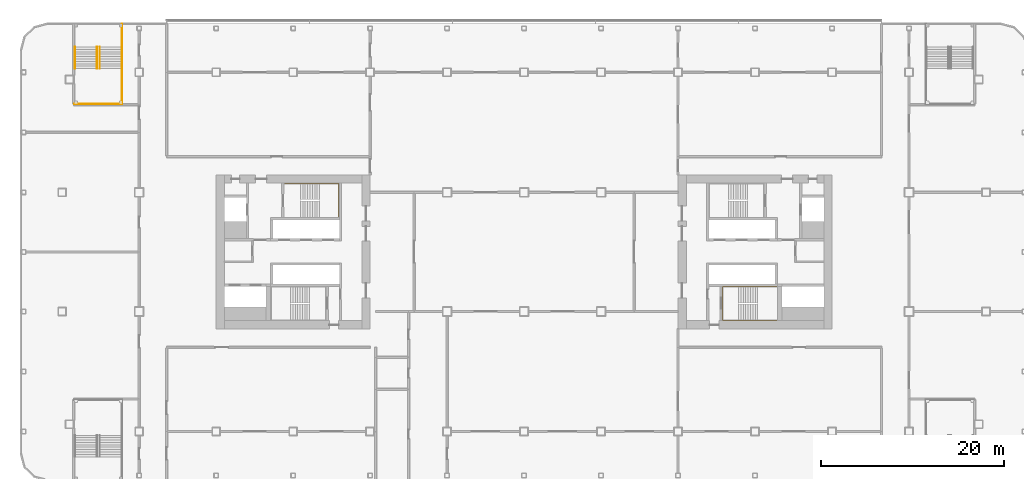
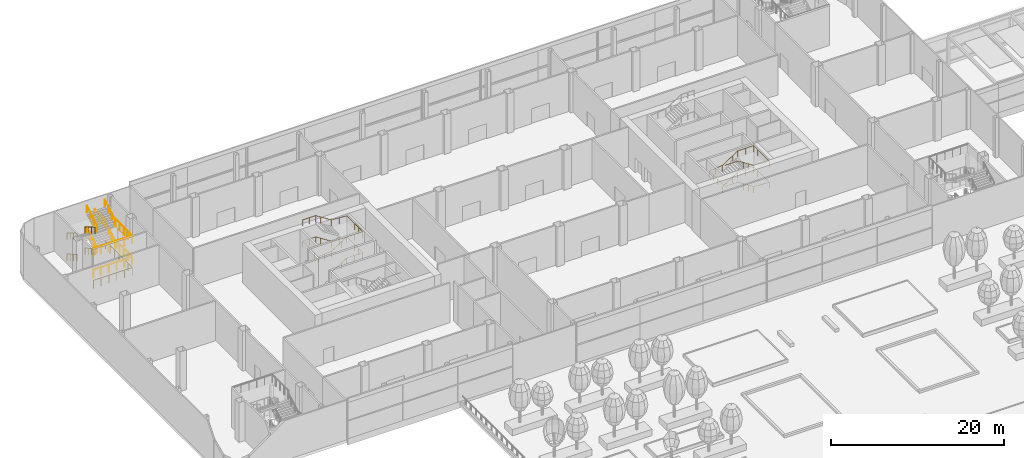
# One storey, part 88 of 100: 16 railings.
"""IFC4 building model written with IfcOpenShell, lengths in metres."""

import ifcopenshell
import ifcopenshell.guid

model = None  # the IFC model being written
_history = None  # IfcOwnerHistory: only IFC2X3 demands one
_inside = {}  # id of a spatial element -> (the spatial element, [elements in it])
_under = {}  # id of a project, library or spatial element -> (it, [spatial elements below it])
_declared = {}  # id of a project -> (the project, [libraries it declares])
_typed = {}  # id of a type object -> (the type object, [elements of that type])
_made_of = {}  # id of a material, layer set ... -> (it, [elements and type objects made of it])


def new_model(schema):
    """Start an empty IFC model of exactly this schema.

    Asked for "IFC4X3", IfcOpenShell would pick the latest addendum, in which some entities
    have other attributes; the version numbers below select the first issue.
    IFC2X3 requires an IfcOwnerHistory on every rooted entity: one is made here for all.
    """
    global model, _history
    if schema == "IFC4X3":
        model = ifcopenshell.file(schema_version=(4, 3, 0, 0))
    else:
        model = ifcopenshell.file(schema=schema)
    _inside.clear()
    _under.clear()
    _declared.clear()
    _typed.clear()
    _made_of.clear()
    _history = None
    if model.schema == "IFC2X3":
        org = make("IfcOrganization", Name="unknown")
        user = make(
            "IfcPersonAndOrganization",
            ThePerson=make("IfcPerson", FamilyName="unknown"),
            TheOrganization=org,
        )
        app = make(
            "IfcApplication",
            ApplicationDeveloper=org,
            Version="unknown",
            ApplicationFullName="unknown",
            ApplicationIdentifier="unknown",
        )
        _history = make(
            "IfcOwnerHistory",
            OwningUser=user,
            OwningApplication=app,
            ChangeAction="ADDED",
            CreationDate=0,
        )
    return model


def make(cls, **values):
    """One entity of the class cls with the attributes given. An attribute that is None is left unset."""
    return model.create_entity(
        cls, **{name: value for name, value in values.items() if value is not None}
    )


def rooted(cls, **values):
    """An entity with a GlobalId (a new one), such as an element, a storey or a relation."""
    return make(cls, GlobalId=ifcopenshell.guid.new(), OwnerHistory=_history, **values)


def si_unit(unit_type, name, prefix=None):
    """IfcSIUnit, for example si_unit("LENGTHUNIT", "METRE", prefix="MILLI")."""
    return make("IfcSIUnit", UnitType=unit_type, Prefix=prefix, Name=name)


def assignment(units):
    """IfcUnitAssignment: the units of a project."""
    return None if units is None else make("IfcUnitAssignment", Units=units)


def point(xyz):
    """IfcCartesianPoint."""
    return None if xyz is None else make("IfcCartesianPoint", Coordinates=xyz)


def direction(xyz):
    """IfcDirection."""
    return None if xyz is None else make("IfcDirection", DirectionRatios=xyz)


def frame(location, z_axis=None, x_axis=None):
    """IfcAxis2Placement3D, a coordinate frame: its origin and axes. An axis left out is left unset."""
    return make(
        "IfcAxis2Placement3D",
        Location=point(location),
        Axis=direction(z_axis),
        RefDirection=direction(x_axis),
    )


def frame_2d(location, x_axis=None):
    """IfcAxis2Placement2D, a coordinate frame in the plane: its origin and x axis."""
    return make(
        "IfcAxis2Placement2D", Location=point(location), RefDirection=direction(x_axis)
    )


def origin():
    """The frame at (0, 0, 0) with its axes left unset."""
    return frame((0.0, 0.0, 0.0))


def origin_2d():
    """The frame at (0, 0) in the plane with its x axis left unset."""
    return frame_2d((0.0, 0.0))


def place(relative_to, where):
    """IfcLocalPlacement: puts the frame where relative to a parent placement (None: the world)."""
    return make(
        "IfcLocalPlacement", PlacementRelTo=relative_to, RelativePlacement=where
    )


def context(
    kind, dimensions, precision=None, world=None, true_north=None, identifier=None
):
    """IfcGeometricRepresentationContext, for example the 3D "Model" context."""
    return make(
        "IfcGeometricRepresentationContext",
        ContextIdentifier=identifier,
        ContextType=kind,
        CoordinateSpaceDimension=dimensions,
        Precision=precision,
        WorldCoordinateSystem=world,
        TrueNorth=true_north,
    )


def subcontext(parent, identifier, kind, view, scale=None):
    """IfcGeometricRepresentationSubContext, for example "Body" below "Model"."""
    return make(
        "IfcGeometricRepresentationSubContext",
        ContextIdentifier=identifier,
        ContextType=kind,
        ParentContext=parent,
        TargetScale=scale,
        TargetView=view,
    )


def project(units=None, contexts=None):
    """IfcProject with its units and contexts."""
    return rooted(
        "IfcProject",
        Name="project",
        RepresentationContexts=contexts,
        UnitsInContext=assignment(units),
    )


def spatial(cls, under=None, at=None, **own):
    """A site, building, storey or space (cls), placed at a placement, below another one or the project."""
    s = rooted(cls, ObjectPlacement=at, **own)
    if under is not None:
        _under.setdefault(under.id(), (under, []))[1].append(s)
    return s


def profile(cls, at=None, kind="AREA", **sizes):
    """A parametric profile (cls). Its sizes go by their IFC names, for example OverallWidth=200.0."""
    return make(cls, ProfileType=kind, Position=at, **sizes)


def circle(**sizes):
    """IfcCircleProfileDef."""
    return profile("IfcCircleProfileDef", **sizes)


def extrude(swept, where, along, depth):
    """IfcExtrudedAreaSolid: the profile swept, set in the frame where, extruded along a direction by depth."""
    return make(
        "IfcExtrudedAreaSolid",
        SweptArea=swept,
        Position=where,
        ExtrudedDirection=direction(along),
        Depth=depth,
    )


def shape(context_of_items, identifier, shape_type, items):
    """IfcShapeRepresentation: the items that make up one representation, for example the "Body"."""
    return make(
        "IfcShapeRepresentation",
        ContextOfItems=context_of_items,
        RepresentationIdentifier=identifier,
        RepresentationType=shape_type,
        Items=items,
    )


def material(Name=None, Category=None):
    """IfcMaterial."""
    return make("IfcMaterial", Name=Name, Category=Category)


def made_of(thing, what):
    """Note that an element or type object is made of a material, layer set ...; save() writes the relation."""
    if what is not None:
        _made_of.setdefault(what.id(), (what, []))[1].append(thing)
    return thing


def type_object(cls, material=None, **own):
    """A type object (cls), such as IfcWallType, which elements share."""
    return made_of(rooted(cls, **own), material)


def element(
    cls,
    number,
    at=None,
    inside=None,
    cuts=None,
    type_object=None,
    material=None,
    context=None,
    identifier="Body",
    shape_type=None,
    held_by="IfcProductDefinitionShape",
    body=None,
    shapes=None,
    **own,
):
    """One element of the class cls, such as IfcWall. Its Tag is "e" and its number.

    at: its placement. inside: the storey or other place that contains it. cuts: it is an
    opening in that element (IfcRelVoidsElement). A single representation is given by context,
    identifier, shape_type and body (its items); several are given by shapes. held_by: the class
    of the entity that holds the representations. save() writes the other relations.
    """
    e = rooted(cls, Tag="e%d" % number, ObjectPlacement=at, **own)
    if body is not None:
        shapes = [shape(context, identifier, shape_type, body)]
    if shapes is not None:
        e.Representation = make(held_by, Representations=shapes)
    if inside is not None:
        _inside.setdefault(inside.id(), (inside, []))[1].append(e)
    if cuts is not None:
        rooted(
            "IfcRelVoidsElement", RelatingBuildingElement=cuts, RelatedOpeningElement=e
        )
    if type_object is not None:
        _typed.setdefault(type_object.id(), (type_object, []))[1].append(e)
    return made_of(e, material)


def aggregate(whole, parts):
    """IfcRelAggregates: a whole, such as a stair, and the parts it consists of."""
    return rooted("IfcRelAggregates", RelatingObject=whole, RelatedObjects=parts)


def save(model, path):
    """Write the relations noted so far, then the file.

    IfcRelAggregates (storeys below a building ...), IfcRelContainedInSpatialStructure (elements
    in a storey), IfcRelDefinesByType, IfcRelAssociatesMaterial and IfcRelDeclares: one each for
    every whole, place, type object, material and project.
    """
    for whole, parts in _under.values():
        aggregate(whole, parts)
    for where, things in _inside.values():
        rooted(
            "IfcRelContainedInSpatialStructure",
            RelatedElements=things,
            RelatingStructure=where,
        )
    for kind, things in _typed.values():
        rooted("IfcRelDefinesByType", RelatedObjects=things, RelatingType=kind)
    for what, things in _made_of.values():
        rooted("IfcRelAssociatesMaterial", RelatedObjects=things, RelatingMaterial=what)
    for by, libraries in _declared.values():
        rooted("IfcRelDeclares", RelatingContext=by, RelatedDefinitions=libraries)
    model.write(path)


model = new_model("IFC4")

# Units and contexts
model_context = context("Model", 3, precision=1e-05, world=origin(), true_north=direction((0.0, 1.0)))
body_context = subcontext(model_context, "Body", "Model", "MODEL_VIEW")
ifc_project = project(units=[si_unit("LENGTHUNIT", "METRE"), si_unit("AREAUNIT", "SQUARE_METRE"), si_unit("VOLUMEUNIT", "CUBIC_METRE"), si_unit("PLANEANGLEUNIT", "RADIAN"), si_unit("MASSUNIT", "GRAM", prefix="KILO")], contexts=[model_context])

# Site, building, storey
site_placement = place(None, origin())
site = spatial("IfcSite", under=ifc_project, at=site_placement, CompositionType="ELEMENT")
building_placement = place(site_placement, origin())
building = spatial("IfcBuilding", under=site, at=building_placement, Name="Hakoniwa Tower and Hamabe Station Hall", CompositionType="ELEMENT")
storey_placement = place(building_placement, frame((0.0, 0.0, 9.0)))
storey = spatial("IfcBuildingStorey", under=building, at=storey_placement, Name="L02", CompositionType="ELEMENT", Elevation=9.0)

# Railings
ifc_material_1 = material(Name="Stainless steel and glass", Category="steel")
railing_type_1 = type_object("IfcRailingType", Name="GUARD 1100", PredefinedType="GUARDRAIL", material=ifc_material_1)
railing_1_placement = place(storey_placement, frame((-43.85009765625, 20.010009765625, 1.5)))
element("IfcRailing", 1, at=railing_1_placement, inside=storey, type_object=railing_type_1, Name="Guard at landing PS1 1", PredefinedType="GUARDRAIL", context=body_context, shape_type="SweptSolid", body=[
    extrude(circle(Radius=0.02392578125, at=origin_2d()), frame((0.0, 0.0, 1.076171875), z_axis=(0.0, -1.0, 0.0), x_axis=(1.0, 0.0, 0.0)), (0.0, 0.0, 1.0), 3.860107421875),
    extrude(circle(Radius=0.02099609375, at=origin_2d()), origin(), (0.0, 0.0, 1.0), 1.052001953125),
    extrude(circle(Radius=0.02099609375, at=origin_2d()), frame((0.0, -0.965087890625, 0.0)), (0.0, 0.0, 1.0), 1.052001953125),
    extrude(circle(Radius=0.02099609375, at=origin_2d()), frame((0.0, -1.93017578125, 0.0)), (0.0, 0.0, 1.0), 1.052001953125),
    extrude(circle(Radius=0.02099609375, at=origin_2d()), frame((0.0, -2.89501953125, 0.0)), (0.0, 0.0, 1.0), 1.052001953125),
    extrude(circle(Radius=0.02099609375, at=origin_2d()), frame((0.0, -3.860107421875, 0.0)), (0.0, 0.0, 1.0), 1.052001953125),
])
railing_2_placement = place(storey_placement, frame((-49.050048828125, 16.14990234375, 1.5)))
element("IfcRailing", 2, at=railing_2_placement, inside=storey, type_object=railing_type_1, Name="Guard at landing PS1 2", PredefinedType="GUARDRAIL", context=body_context, shape_type="SweptSolid", body=[
    extrude(circle(Radius=0.02392578125, at=origin_2d()), frame((0.0, 0.0, 1.076171875), z_axis=(1.0, 0.0, 0.0), x_axis=(0.0, 1.0, 0.0)), (0.0, 0.0, 1.0), 5.199951171875),
    extrude(circle(Radius=0.02099609375, at=origin_2d()), origin(), (0.0, 0.0, 1.0), 1.052001953125),
    extrude(circle(Radius=0.02099609375, at=origin_2d()), frame((1.0400390625, 0.0, 0.0)), (0.0, 0.0, 1.0), 1.052001953125),
    extrude(circle(Radius=0.02099609375, at=origin_2d()), frame((2.080078125, 0.0, 0.0)), (0.0, 0.0, 1.0), 1.052001953125),
    extrude(circle(Radius=0.02099609375, at=origin_2d()), frame((3.119873046875, 0.0, 0.0)), (0.0, 0.0, 1.0), 1.052001953125),
    extrude(circle(Radius=0.02099609375, at=origin_2d()), frame((4.159912109375, 0.0, 0.0)), (0.0, 0.0, 1.0), 1.052001953125),
    extrude(circle(Radius=0.02099609375, at=origin_2d()), frame((5.199951171875, 0.0, 0.0)), (0.0, 0.0, 1.0), 1.052001953125),
])
railing_3_placement = place(storey_placement, frame((-43.85009765625, 24.85009765625, 3.0)))
element("IfcRailing", 3, at=railing_3_placement, inside=storey, type_object=railing_type_1, Name="Guard at landing PS1 3", PredefinedType="GUARDRAIL", context=body_context, shape_type="SweptSolid", body=[
    extrude(circle(Radius=0.02392578125, at=origin_2d()), frame((0.0, 0.0, 1.076171875), z_axis=(0.0, -1.0, 0.0), x_axis=(1.0, 0.0, 0.0)), (0.0, 0.0, 1.0), 2.5),
    extrude(circle(Radius=0.02099609375, at=origin_2d()), origin(), (0.0, 0.0, 1.0), 1.052001953125),
    extrude(circle(Radius=0.02099609375, at=origin_2d()), frame((0.0, -0.833251953125, 0.0)), (0.0, 0.0, 1.0), 1.052001953125),
    extrude(circle(Radius=0.02099609375, at=origin_2d()), frame((0.0, -1.666748046875, 0.0)), (0.0, 0.0, 1.0), 1.052001953125),
    extrude(circle(Radius=0.02099609375, at=origin_2d()), frame((0.0, -2.5, 0.0)), (0.0, 0.0, 1.0), 1.052001953125),
])
railing_4_placement = place(storey_placement, frame((-43.85009765625, 20.010009765625, 4.5)))
element("IfcRailing", 4, at=railing_4_placement, inside=storey, type_object=railing_type_1, Name="Guard at landing PS1 4", PredefinedType="GUARDRAIL", context=body_context, shape_type="SweptSolid", body=[
    extrude(circle(Radius=0.02392578125, at=origin_2d()), frame((0.0, 0.0, 1.076171875), z_axis=(0.0, -1.0, 0.0), x_axis=(1.0, 0.0, 0.0)), (0.0, 0.0, 1.0), 3.860107421875),
    extrude(circle(Radius=0.02099609375, at=origin_2d()), origin(), (0.0, 0.0, 1.0), 1.052001953125),
    extrude(circle(Radius=0.02099609375, at=origin_2d()), frame((0.0, -0.965087890625, 0.0)), (0.0, 0.0, 1.0), 1.052001953125),
    extrude(circle(Radius=0.02099609375, at=origin_2d()), frame((0.0, -1.93017578125, 0.0)), (0.0, 0.0, 1.0), 1.052001953125),
    extrude(circle(Radius=0.02099609375, at=origin_2d()), frame((0.0, -2.89501953125, 0.0)), (0.0, 0.0, 1.0), 1.052001953125),
    extrude(circle(Radius=0.02099609375, at=origin_2d()), frame((0.0, -3.860107421875, 0.0)), (0.0, 0.0, 1.0), 1.052001953125),
])
railing_5_placement = place(storey_placement, frame((-49.050048828125, 16.14990234375, 4.5)))
element("IfcRailing", 5, at=railing_5_placement, inside=storey, type_object=railing_type_1, Name="Guard at landing PS1 5", PredefinedType="GUARDRAIL", context=body_context, shape_type="SweptSolid", body=[
    extrude(circle(Radius=0.02392578125, at=origin_2d()), frame((0.0, 0.0, 1.076171875), z_axis=(1.0, 0.0, 0.0), x_axis=(0.0, 1.0, 0.0)), (0.0, 0.0, 1.0), 5.199951171875),
    extrude(circle(Radius=0.02099609375, at=origin_2d()), origin(), (0.0, 0.0, 1.0), 1.052001953125),
    extrude(circle(Radius=0.02099609375, at=origin_2d()), frame((1.0400390625, 0.0, 0.0)), (0.0, 0.0, 1.0), 1.052001953125),
    extrude(circle(Radius=0.02099609375, at=origin_2d()), frame((2.080078125, 0.0, 0.0)), (0.0, 0.0, 1.0), 1.052001953125),
    extrude(circle(Radius=0.02099609375, at=origin_2d()), frame((3.119873046875, 0.0, 0.0)), (0.0, 0.0, 1.0), 1.052001953125),
    extrude(circle(Radius=0.02099609375, at=origin_2d()), frame((4.159912109375, 0.0, 0.0)), (0.0, 0.0, 1.0), 1.052001953125),
    extrude(circle(Radius=0.02099609375, at=origin_2d()), frame((5.199951171875, 0.0, 0.0)), (0.0, 0.0, 1.0), 1.052001953125),
])
railing_6_placement = place(storey_placement, frame((-43.85009765625, 22.340087890625, 0.0)))
element("IfcRailing", 6, at=railing_6_placement, inside=storey, type_object=railing_type_1, Name="Guard at stair well PS1", PredefinedType="GUARDRAIL", context=body_context, shape_type="SweptSolid", body=[
    extrude(circle(Radius=0.02392578125, at=origin_2d()), frame((0.0, 0.0, 1.076171875), z_axis=(0.0, -1.0, 0.0), x_axis=(1.0, 0.0, 0.0)), (0.0, 0.0, 1.0), 6.190185546875),
    extrude(circle(Radius=0.02392578125, at=origin_2d()), frame((0.0, -6.190185546875, 1.076171875), z_axis=(-1.0, 0.0, 0.0), x_axis=(0.0, -1.0, 0.0)), (0.0, 0.0, 1.0), 5.199951171875),
    extrude(circle(Radius=0.02099609375, at=origin_2d()), origin(), (0.0, 0.0, 1.0), 1.052001953125),
    extrude(circle(Radius=0.02099609375, at=origin_2d()), frame((0.0, -1.03173828125, 0.0)), (0.0, 0.0, 1.0), 1.052001953125),
    extrude(circle(Radius=0.02099609375, at=origin_2d()), frame((0.0, -2.0634765625, 0.0)), (0.0, 0.0, 1.0), 1.052001953125),
    extrude(circle(Radius=0.02099609375, at=origin_2d()), frame((0.0, -3.09521484375, 0.0)), (0.0, 0.0, 1.0), 1.052001953125),
    extrude(circle(Radius=0.02099609375, at=origin_2d()), frame((0.0, -4.126708984375, 0.0)), (0.0, 0.0, 1.0), 1.052001953125),
    extrude(circle(Radius=0.02099609375, at=origin_2d()), frame((0.0, -5.158447265625, 0.0)), (0.0, 0.0, 1.0), 1.052001953125),
    extrude(circle(Radius=0.02099609375, at=origin_2d()), frame((0.0, -6.190185546875, 0.0)), (0.0, 0.0, 1.0), 1.052001953125),
    extrude(circle(Radius=0.02099609375, at=origin_2d()), frame((-1.0400390625, -6.190185546875, 0.0)), (0.0, 0.0, 1.0), 1.052001953125),
    extrude(circle(Radius=0.02099609375, at=origin_2d()), frame((-2.080078125, -6.190185546875, 0.0)), (0.0, 0.0, 1.0), 1.052001953125),
    extrude(circle(Radius=0.02099609375, at=origin_2d()), frame((-3.119873046875, -6.190185546875, 0.0)), (0.0, 0.0, 1.0), 1.052001953125),
    extrude(circle(Radius=0.02099609375, at=origin_2d()), frame((-4.159912109375, -6.190185546875, 0.0)), (0.0, 0.0, 1.0), 1.052001953125),
    extrude(circle(Radius=0.02099609375, at=origin_2d()), frame((-5.199951171875, -6.190185546875, 0.0)), (0.0, 0.0, 1.0), 1.052001953125),
])
ifc_material_2 = material(Name="Stainless steel SUS304", Category="steel")
railing_type_2 = type_object("IfcRailingType", Name="HANDRAIL 900", PredefinedType="HANDRAIL", material=ifc_material_2)
for number, where, name in (
    (7, (-49.0, 22.35009765625, 0.14990234375), "Handrail PS1 1"),
    (8, (-46.60009765625, 22.35009765625, 0.14990234375), "Handrail PS1 2"),
):
    element("IfcRailing", number, at=place(storey_placement, frame(where)), inside=storey, type_object=railing_type_2, Name=name, PredefinedType="HANDRAIL", context=body_context, shape_type="SweptSolid", body=[
        extrude(circle(Radius=0.02392578125, at=origin_2d()), frame((0.0, 0.0, 0.8759765625), z_axis=(0.0, -0.866178063635, 0.499735492113), x_axis=(1.0, 0.0, 0.0)), (0.0, 0.0, 1.0), 2.70166015625),
        extrude(circle(Radius=0.02099609375, at=origin_2d()), origin(), (0.0, 0.0, 1.0), 0.851806640625),
        extrude(circle(Radius=0.02099609375, at=origin_2d()), frame((0.0, -0.780029296875, 0.449951171875)), (0.0, 0.0, 1.0), 0.851806640625),
        extrude(circle(Radius=0.02099609375, at=origin_2d()), frame((0.0, -1.56005859375, 0.900146484375)), (0.0, 0.0, 1.0), 0.851806640625),
        extrude(circle(Radius=0.02099609375, at=origin_2d()), frame((0.0, -2.340087890625, 1.35009765625)), (0.0, 0.0, 1.0), 0.851806640625),
    ])
for number, where, name in (
    (9, (-46.300048828125, 20.010009765625, 1.64990234375), "Handrail PS1 3"),
    (10, (-43.89990234375, 20.010009765625, 1.64990234375), "Handrail PS1 4"),
):
    element("IfcRailing", number, at=place(storey_placement, frame(where)), inside=storey, type_object=railing_type_2, Name=name, PredefinedType="HANDRAIL", context=body_context, shape_type="SweptSolid", body=[
        extrude(circle(Radius=0.02392578125, at=origin_2d()), frame((0.0, 0.0, 0.8759765625), z_axis=(0.0, 0.866178063635, 0.499735492113), x_axis=(-1.0, 0.0, 0.0)), (0.0, 0.0, 1.0), 2.70166015625),
        extrude(circle(Radius=0.02099609375, at=origin_2d()), origin(), (0.0, 0.0, 1.0), 0.851806640625),
        extrude(circle(Radius=0.02099609375, at=origin_2d()), frame((0.0, 0.780029296875, 0.449951171875)), (0.0, 0.0, 1.0), 0.851806640625),
        extrude(circle(Radius=0.02099609375, at=origin_2d()), frame((0.0, 1.56005859375, 0.900146484375)), (0.0, 0.0, 1.0), 0.851806640625),
        extrude(circle(Radius=0.02099609375, at=origin_2d()), frame((0.0, 2.340087890625, 1.35009765625)), (0.0, 0.0, 1.0), 0.851806640625),
    ])
for number, where, name in (
    (11, (-49.0, 22.35009765625, 3.14990234375), "Handrail PS1 5"),
    (12, (-46.60009765625, 22.35009765625, 3.14990234375), "Handrail PS1 6"),
):
    element("IfcRailing", number, at=place(storey_placement, frame(where)), inside=storey, type_object=railing_type_2, Name=name, PredefinedType="HANDRAIL", context=body_context, shape_type="SweptSolid", body=[
        extrude(circle(Radius=0.02392578125, at=origin_2d()), frame((0.0, 0.0, 0.8759765625), z_axis=(0.0, -0.866178063635, 0.499735492113), x_axis=(1.0, 0.0, 0.0)), (0.0, 0.0, 1.0), 2.70166015625),
        extrude(circle(Radius=0.02099609375, at=origin_2d()), origin(), (0.0, 0.0, 1.0), 0.851806640625),
        extrude(circle(Radius=0.02099609375, at=origin_2d()), frame((0.0, -0.780029296875, 0.449951171875)), (0.0, 0.0, 1.0), 0.851806640625),
        extrude(circle(Radius=0.02099609375, at=origin_2d()), frame((0.0, -1.56005859375, 0.900146484375)), (0.0, 0.0, 1.0), 0.851806640625),
        extrude(circle(Radius=0.02099609375, at=origin_2d()), frame((0.0, -2.340087890625, 1.35009765625)), (0.0, 0.0, 1.0), 0.851806640625),
    ])
for number, where, name in (
    (13, (-46.300048828125, 20.010009765625, 4.64990234375), "Handrail PS1 7"),
    (14, (-43.89990234375, 20.010009765625, 4.64990234375), "Handrail PS1 8"),
):
    element("IfcRailing", number, at=place(storey_placement, frame(where)), inside=storey, type_object=railing_type_2, Name=name, PredefinedType="HANDRAIL", context=body_context, shape_type="SweptSolid", body=[
        extrude(circle(Radius=0.02392578125, at=origin_2d()), frame((0.0, 0.0, 0.8759765625), z_axis=(0.0, 0.866178063635, 0.499735492113), x_axis=(-1.0, 0.0, 0.0)), (0.0, 0.0, 1.0), 2.70166015625),
        extrude(circle(Radius=0.02099609375, at=origin_2d()), origin(), (0.0, 0.0, 1.0), 0.851806640625),
        extrude(circle(Radius=0.02099609375, at=origin_2d()), frame((0.0, 0.780029296875, 0.449951171875)), (0.0, 0.0, 1.0), 0.851806640625),
        extrude(circle(Radius=0.02099609375, at=origin_2d()), frame((0.0, 1.56005859375, 0.900146484375)), (0.0, 0.0, 1.0), 0.851806640625),
        extrude(circle(Radius=0.02099609375, at=origin_2d()), frame((0.0, 2.340087890625, 1.35009765625)), (0.0, 0.0, 1.0), 0.851806640625),
    ])
ifc_material_3 = material(Name="Stainless steel SUS304", Category="steel")
railing_type_3 = type_object("IfcRailingType", Name="STAIR HANDRAIL 900", PredefinedType="HANDRAIL", material=ifc_material_3)
railing_7_placement = place(storey_placement, frame((-24.39990234375, 3.81005859375, 0.166748046875)))
element("IfcRailing", 15, at=railing_7_placement, inside=storey, type_object=railing_type_3, Name="Handrail ST-1 L02 1", PredefinedType="HANDRAIL", context=body_context, shape_type="SweptSolid", body=[
    extrude(circle(Radius=0.02392578125, at=origin_2d()), frame((0.0, 0.0, 0.8759765625), z_axis=(0.84187453394, 0.0, 0.539673298491), x_axis=(0.0, 1.0, 0.0)), (0.0, 0.0, 1.0), 2.470458984375),
    extrude(circle(Radius=0.02392578125, at=origin_2d()), frame((2.079833984375, 0.0, 2.208984375), z_axis=(1.0, 0.0, 0.0), x_axis=(0.0, 1.0, 0.0)), (0.0, 0.0, 1.0), 2.110107421875),
    extrude(circle(Radius=0.02392578125, at=origin_2d()), frame((4.18994140625, 0.0, 2.208984375), z_axis=(0.0, 1.0, 0.0), x_axis=(-1.0, 0.0, 0.0)), (0.0, 0.0, 1.0), 3.6298828125),
    extrude(circle(Radius=0.02392578125, at=origin_2d()), frame((4.18994140625, 3.6298828125, 2.208984375), z_axis=(-0.996892192206, 0.0, 0.078777897406), x_axis=(0.0, -1.0, 0.0)), (0.0, 0.0, 1.0), 2.11669921875),
    extrude(circle(Radius=0.02392578125, at=origin_2d()), frame((2.079833984375, 3.6298828125, 2.3759765625), z_axis=(-0.84187453394, 0.0, 0.539673298491), x_axis=(0.0, -1.0, 0.0)), (0.0, 0.0, 1.0), 2.470458984375),
    extrude(circle(Radius=0.02392578125, at=origin_2d()), frame((0.0, 3.6298828125, 3.708984375), z_axis=(-1.0, 0.0, 0.0), x_axis=(0.0, -1.0, 0.0)), (0.0, 0.0, 1.0), 1.739990234375),
    extrude(circle(Radius=0.02392578125, at=origin_2d()), frame((-1.739990234375, 3.6298828125, 3.708984375), z_axis=(0.0, -1.0, 0.0), x_axis=(1.0, 0.0, 0.0)), (0.0, 0.0, 1.0), 3.6298828125),
    extrude(circle(Radius=0.02392578125, at=origin_2d()), frame((-1.739990234375, 0.0, 3.708984375), z_axis=(0.995439431117, 0.0, 0.09539569685), x_axis=(0.0, 1.0, 0.0)), (0.0, 0.0, 1.0), 1.748046875),
    extrude(circle(Radius=0.02392578125, at=origin_2d()), frame((0.0, 0.0, 3.8759765625), z_axis=(0.84187453394, 0.0, 0.539673298491), x_axis=(0.0, 1.0, 0.0)), (0.0, 0.0, 1.0), 2.470458984375),
    extrude(circle(Radius=0.02392578125, at=origin_2d()), frame((2.079833984375, 0.0, 5.208984375), z_axis=(1.0, 0.0, 0.0), x_axis=(0.0, 1.0, 0.0)), (0.0, 0.0, 1.0), 2.110107421875),
    extrude(circle(Radius=0.02392578125, at=origin_2d()), frame((4.18994140625, 0.0, 5.208984375), z_axis=(0.0, 1.0, 0.0), x_axis=(-1.0, 0.0, 0.0)), (0.0, 0.0, 1.0), 3.6298828125),
    extrude(circle(Radius=0.02392578125, at=origin_2d()), frame((4.18994140625, 3.6298828125, 5.208984375), z_axis=(-0.996892192206, 0.0, 0.078777897406), x_axis=(0.0, -1.0, 0.0)), (0.0, 0.0, 1.0), 2.11669921875),
    extrude(circle(Radius=0.02392578125, at=origin_2d()), frame((2.079833984375, 3.6298828125, 5.3759765625), z_axis=(-0.84187453394, 0.0, 0.539673298491), x_axis=(0.0, -1.0, 0.0)), (0.0, 0.0, 1.0), 2.470458984375),
    extrude(circle(Radius=0.02392578125, at=origin_2d()), frame((0.0, 3.6298828125, 6.708984375), z_axis=(-1.0, 0.0, 0.0), x_axis=(0.0, -1.0, 0.0)), (0.0, 0.0, 1.0), 1.739990234375),
    extrude(circle(Radius=0.02099609375, at=origin_2d()), origin(), (0.0, 0.0, 1.0), 0.851806640625),
    extrude(circle(Radius=0.02099609375, at=origin_2d()), frame((0.693359375, 0.0, 0.4443359375)), (0.0, 0.0, 1.0), 0.851806640625),
    extrude(circle(Radius=0.02099609375, at=origin_2d()), frame((1.386474609375, 0.0, 0.888916015625)), (0.0, 0.0, 1.0), 0.851806640625),
    extrude(circle(Radius=0.02099609375, at=origin_2d()), frame((2.079833984375, 0.0, 1.333251953125)), (0.0, 0.0, 1.0), 0.851806640625),
    extrude(circle(Radius=0.02099609375, at=origin_2d()), frame((3.134765625, 0.0, 1.333251953125)), (0.0, 0.0, 1.0), 0.851806640625),
    extrude(circle(Radius=0.02099609375, at=origin_2d()), frame((4.18994140625, 0.0, 1.333251953125)), (0.0, 0.0, 1.0), 0.851806640625),
    extrude(circle(Radius=0.02099609375, at=origin_2d()), frame((4.18994140625, 0.907470703125, 1.333251953125)), (0.0, 0.0, 1.0), 0.851806640625),
    extrude(circle(Radius=0.02099609375, at=origin_2d()), frame((4.18994140625, 1.81494140625, 1.333251953125)), (0.0, 0.0, 1.0), 0.851806640625),
    extrude(circle(Radius=0.02099609375, at=origin_2d()), frame((4.18994140625, 2.722412109375, 1.333251953125)), (0.0, 0.0, 1.0), 0.851806640625),
    extrude(circle(Radius=0.02099609375, at=origin_2d()), frame((4.18994140625, 3.6298828125, 1.333251953125)), (0.0, 0.0, 1.0), 0.851806640625),
    extrude(circle(Radius=0.02099609375, at=origin_2d()), frame((3.134765625, 3.6298828125, 1.41650390625)), (0.0, 0.0, 1.0), 0.851806640625),
    extrude(circle(Radius=0.02099609375, at=origin_2d()), frame((2.079833984375, 3.6298828125, 1.5)), (0.0, 0.0, 1.0), 0.851806640625),
    extrude(circle(Radius=0.02099609375, at=origin_2d()), frame((1.386474609375, 3.6298828125, 1.9443359375)), (0.0, 0.0, 1.0), 0.851806640625),
    extrude(circle(Radius=0.02099609375, at=origin_2d()), frame((0.693359375, 3.6298828125, 2.388916015625)), (0.0, 0.0, 1.0), 0.851806640625),
    extrude(circle(Radius=0.02099609375, at=origin_2d()), frame((0.0, 3.6298828125, 2.833251953125)), (0.0, 0.0, 1.0), 0.851806640625),
    extrude(circle(Radius=0.02099609375, at=origin_2d()), frame((-0.8701171875, 3.6298828125, 2.833251953125)), (0.0, 0.0, 1.0), 0.851806640625),
    extrude(circle(Radius=0.02099609375, at=origin_2d()), frame((-1.739990234375, 3.6298828125, 2.833251953125)), (0.0, 0.0, 1.0), 0.851806640625),
    extrude(circle(Radius=0.02099609375, at=origin_2d()), frame((-1.739990234375, 2.722412109375, 2.833251953125)), (0.0, 0.0, 1.0), 0.851806640625),
    extrude(circle(Radius=0.02099609375, at=origin_2d()), frame((-1.739990234375, 1.81494140625, 2.833251953125)), (0.0, 0.0, 1.0), 0.851806640625),
    extrude(circle(Radius=0.02099609375, at=origin_2d()), frame((-1.739990234375, 0.907470703125, 2.833251953125)), (0.0, 0.0, 1.0), 0.851806640625),
    extrude(circle(Radius=0.02099609375, at=origin_2d()), frame((-1.739990234375, 0.0, 2.833251953125)), (0.0, 0.0, 1.0), 0.851806640625),
    extrude(circle(Radius=0.02099609375, at=origin_2d()), frame((-0.8701171875, 0.0, 2.91650390625)), (0.0, 0.0, 1.0), 0.851806640625),
    extrude(circle(Radius=0.02099609375, at=origin_2d()), frame((0.0, 0.0, 3.0)), (0.0, 0.0, 1.0), 0.851806640625),
    extrude(circle(Radius=0.02099609375, at=origin_2d()), frame((0.693359375, 0.0, 3.4443359375)), (0.0, 0.0, 1.0), 0.851806640625),
    extrude(circle(Radius=0.02099609375, at=origin_2d()), frame((1.386474609375, 0.0, 3.888916015625)), (0.0, 0.0, 1.0), 0.851806640625),
    extrude(circle(Radius=0.02099609375, at=origin_2d()), frame((2.079833984375, 0.0, 4.333251953125)), (0.0, 0.0, 1.0), 0.851806640625),
    extrude(circle(Radius=0.02099609375, at=origin_2d()), frame((3.134765625, 0.0, 4.333251953125)), (0.0, 0.0, 1.0), 0.851806640625),
    extrude(circle(Radius=0.02099609375, at=origin_2d()), frame((4.18994140625, 0.0, 4.333251953125)), (0.0, 0.0, 1.0), 0.851806640625),
    extrude(circle(Radius=0.02099609375, at=origin_2d()), frame((4.18994140625, 0.907470703125, 4.333251953125)), (0.0, 0.0, 1.0), 0.851806640625),
    extrude(circle(Radius=0.02099609375, at=origin_2d()), frame((4.18994140625, 1.81494140625, 4.333251953125)), (0.0, 0.0, 1.0), 0.851806640625),
    extrude(circle(Radius=0.02099609375, at=origin_2d()), frame((4.18994140625, 2.722412109375, 4.333251953125)), (0.0, 0.0, 1.0), 0.851806640625),
    extrude(circle(Radius=0.02099609375, at=origin_2d()), frame((4.18994140625, 3.6298828125, 4.333251953125)), (0.0, 0.0, 1.0), 0.851806640625),
    extrude(circle(Radius=0.02099609375, at=origin_2d()), frame((3.134765625, 3.6298828125, 4.41650390625)), (0.0, 0.0, 1.0), 0.851806640625),
    extrude(circle(Radius=0.02099609375, at=origin_2d()), frame((2.079833984375, 3.6298828125, 4.5)), (0.0, 0.0, 1.0), 0.851806640625),
    extrude(circle(Radius=0.02099609375, at=origin_2d()), frame((1.386474609375, 3.6298828125, 4.9443359375)), (0.0, 0.0, 1.0), 0.851806640625),
    extrude(circle(Radius=0.02099609375, at=origin_2d()), frame((0.693359375, 3.6298828125, 5.388916015625)), (0.0, 0.0, 1.0), 0.851806640625),
    extrude(circle(Radius=0.02099609375, at=origin_2d()), frame((0.0, 3.6298828125, 5.833251953125)), (0.0, 0.0, 1.0), 0.851806640625),
    extrude(circle(Radius=0.02099609375, at=origin_2d()), frame((-0.8701171875, 3.6298828125, 5.833251953125)), (0.0, 0.0, 1.0), 0.851806640625),
    extrude(circle(Radius=0.02099609375, at=origin_2d()), frame((-1.739990234375, 3.6298828125, 5.833251953125)), (0.0, 0.0, 1.0), 0.851806640625),
])
railing_8_placement = place(storey_placement, frame((23.39990234375, -3.81005859375, 0.166748046875)))
element("IfcRailing", 16, at=railing_8_placement, inside=storey, type_object=railing_type_3, Name="Handrail ST-4 L02 1", PredefinedType="HANDRAIL", context=body_context, shape_type="SweptSolid", body=[
    extrude(circle(Radius=0.02392578125, at=origin_2d()), frame((0.0, 0.0, 0.8759765625), z_axis=(0.841903312325, 0.0, 0.539628402418), x_axis=(0.0, 1.0, 0.0)), (0.0, 0.0, 1.0), 2.470703125),
    extrude(circle(Radius=0.02392578125, at=origin_2d()), frame((2.080078125, 0.0, 2.208984375), z_axis=(1.0, 0.0, 0.0), x_axis=(0.0, 1.0, 0.0)), (0.0, 0.0, 1.0), 2.110107421875),
    extrude(circle(Radius=0.02392578125, at=origin_2d()), frame((4.190185546875, 0.0, 2.208984375), z_axis=(0.0, -1.0, 0.0), x_axis=(1.0, 0.0, 0.0)), (0.0, 0.0, 1.0), 3.6298828125),
    extrude(circle(Radius=0.02392578125, at=origin_2d()), frame((4.190185546875, -3.6298828125, 2.208984375), z_axis=(-0.996892192206, 0.0, 0.078777897406), x_axis=(0.0, -1.0, 0.0)), (0.0, 0.0, 1.0), 2.11669921875),
    extrude(circle(Radius=0.02392578125, at=origin_2d()), frame((2.080078125, -3.6298828125, 2.3759765625), z_axis=(-0.841903312325, 0.0, 0.539628402418), x_axis=(0.0, -1.0, 0.0)), (0.0, 0.0, 1.0), 2.470703125),
    extrude(circle(Radius=0.02392578125, at=origin_2d()), frame((0.0, -3.6298828125, 3.708984375), z_axis=(-1.0, 0.0, 0.0), x_axis=(0.0, -1.0, 0.0)), (0.0, 0.0, 1.0), 1.739990234375),
    extrude(circle(Radius=0.02392578125, at=origin_2d()), frame((-1.739990234375, -3.6298828125, 3.708984375), z_axis=(0.0, 1.0, 0.0), x_axis=(-1.0, 0.0, 0.0)), (0.0, 0.0, 1.0), 3.6298828125),
    extrude(circle(Radius=0.02392578125, at=origin_2d()), frame((-1.739990234375, 0.0, 3.708984375), z_axis=(0.995439431117, 0.0, 0.09539569685), x_axis=(0.0, 1.0, 0.0)), (0.0, 0.0, 1.0), 1.748046875),
    extrude(circle(Radius=0.02392578125, at=origin_2d()), frame((0.0, 0.0, 3.8759765625), z_axis=(0.841903312325, 0.0, 0.539628402418), x_axis=(0.0, 1.0, 0.0)), (0.0, 0.0, 1.0), 2.470703125),
    extrude(circle(Radius=0.02392578125, at=origin_2d()), frame((2.080078125, 0.0, 5.208984375), z_axis=(1.0, 0.0, 0.0), x_axis=(0.0, 1.0, 0.0)), (0.0, 0.0, 1.0), 2.110107421875),
    extrude(circle(Radius=0.02392578125, at=origin_2d()), frame((4.190185546875, 0.0, 5.208984375), z_axis=(0.0, -1.0, 0.0), x_axis=(1.0, 0.0, 0.0)), (0.0, 0.0, 1.0), 3.6298828125),
    extrude(circle(Radius=0.02392578125, at=origin_2d()), frame((4.190185546875, -3.6298828125, 5.208984375), z_axis=(-0.996892192206, 0.0, 0.078777897406), x_axis=(0.0, -1.0, 0.0)), (0.0, 0.0, 1.0), 2.11669921875),
    extrude(circle(Radius=0.02392578125, at=origin_2d()), frame((2.080078125, -3.6298828125, 5.3759765625), z_axis=(-0.841903312325, 0.0, 0.539628402418), x_axis=(0.0, -1.0, 0.0)), (0.0, 0.0, 1.0), 2.470703125),
    extrude(circle(Radius=0.02392578125, at=origin_2d()), frame((0.0, -3.6298828125, 6.708984375), z_axis=(-1.0, 0.0, 0.0), x_axis=(0.0, -1.0, 0.0)), (0.0, 0.0, 1.0), 1.739990234375),
    extrude(circle(Radius=0.02099609375, at=origin_2d()), origin(), (0.0, 0.0, 1.0), 0.851806640625),
    extrude(circle(Radius=0.02099609375, at=origin_2d()), frame((0.693359375, 0.0, 0.4443359375)), (0.0, 0.0, 1.0), 0.851806640625),
    extrude(circle(Radius=0.02099609375, at=origin_2d()), frame((1.38671875, 0.0, 0.888916015625)), (0.0, 0.0, 1.0), 0.851806640625),
    extrude(circle(Radius=0.02099609375, at=origin_2d()), frame((2.080078125, 0.0, 1.333251953125)), (0.0, 0.0, 1.0), 0.851806640625),
    extrude(circle(Radius=0.02099609375, at=origin_2d()), frame((3.13525390625, 0.0, 1.333251953125)), (0.0, 0.0, 1.0), 0.851806640625),
    extrude(circle(Radius=0.02099609375, at=origin_2d()), frame((4.190185546875, 0.0, 1.333251953125)), (0.0, 0.0, 1.0), 0.851806640625),
    extrude(circle(Radius=0.02099609375, at=origin_2d()), frame((4.190185546875, -0.907470703125, 1.333251953125)), (0.0, 0.0, 1.0), 0.851806640625),
    extrude(circle(Radius=0.02099609375, at=origin_2d()), frame((4.190185546875, -1.81494140625, 1.333251953125)), (0.0, 0.0, 1.0), 0.851806640625),
    extrude(circle(Radius=0.02099609375, at=origin_2d()), frame((4.190185546875, -2.722412109375, 1.333251953125)), (0.0, 0.0, 1.0), 0.851806640625),
    extrude(circle(Radius=0.02099609375, at=origin_2d()), frame((4.190185546875, -3.6298828125, 1.333251953125)), (0.0, 0.0, 1.0), 0.851806640625),
    extrude(circle(Radius=0.02099609375, at=origin_2d()), frame((3.13525390625, -3.6298828125, 1.41650390625)), (0.0, 0.0, 1.0), 0.851806640625),
    extrude(circle(Radius=0.02099609375, at=origin_2d()), frame((2.080078125, -3.6298828125, 1.5)), (0.0, 0.0, 1.0), 0.851806640625),
    extrude(circle(Radius=0.02099609375, at=origin_2d()), frame((1.38671875, -3.6298828125, 1.9443359375)), (0.0, 0.0, 1.0), 0.851806640625),
    extrude(circle(Radius=0.02099609375, at=origin_2d()), frame((0.693359375, -3.6298828125, 2.388916015625)), (0.0, 0.0, 1.0), 0.851806640625),
    extrude(circle(Radius=0.02099609375, at=origin_2d()), frame((0.0, -3.6298828125, 2.833251953125)), (0.0, 0.0, 1.0), 0.851806640625),
    extrude(circle(Radius=0.02099609375, at=origin_2d()), frame((-0.8701171875, -3.6298828125, 2.833251953125)), (0.0, 0.0, 1.0), 0.851806640625),
    extrude(circle(Radius=0.02099609375, at=origin_2d()), frame((-1.739990234375, -3.6298828125, 2.833251953125)), (0.0, 0.0, 1.0), 0.851806640625),
    extrude(circle(Radius=0.02099609375, at=origin_2d()), frame((-1.739990234375, -2.722412109375, 2.833251953125)), (0.0, 0.0, 1.0), 0.851806640625),
    extrude(circle(Radius=0.02099609375, at=origin_2d()), frame((-1.739990234375, -1.81494140625, 2.833251953125)), (0.0, 0.0, 1.0), 0.851806640625),
    extrude(circle(Radius=0.02099609375, at=origin_2d()), frame((-1.739990234375, -0.907470703125, 2.833251953125)), (0.0, 0.0, 1.0), 0.851806640625),
    extrude(circle(Radius=0.02099609375, at=origin_2d()), frame((-1.739990234375, 0.0, 2.833251953125)), (0.0, 0.0, 1.0), 0.851806640625),
    extrude(circle(Radius=0.02099609375, at=origin_2d()), frame((-0.8701171875, 0.0, 2.91650390625)), (0.0, 0.0, 1.0), 0.851806640625),
    extrude(circle(Radius=0.02099609375, at=origin_2d()), frame((0.0, 0.0, 3.0)), (0.0, 0.0, 1.0), 0.851806640625),
    extrude(circle(Radius=0.02099609375, at=origin_2d()), frame((0.693359375, 0.0, 3.4443359375)), (0.0, 0.0, 1.0), 0.851806640625),
    extrude(circle(Radius=0.02099609375, at=origin_2d()), frame((1.38671875, 0.0, 3.888916015625)), (0.0, 0.0, 1.0), 0.851806640625),
    extrude(circle(Radius=0.02099609375, at=origin_2d()), frame((2.080078125, 0.0, 4.333251953125)), (0.0, 0.0, 1.0), 0.851806640625),
    extrude(circle(Radius=0.02099609375, at=origin_2d()), frame((3.13525390625, 0.0, 4.333251953125)), (0.0, 0.0, 1.0), 0.851806640625),
    extrude(circle(Radius=0.02099609375, at=origin_2d()), frame((4.190185546875, 0.0, 4.333251953125)), (0.0, 0.0, 1.0), 0.851806640625),
    extrude(circle(Radius=0.02099609375, at=origin_2d()), frame((4.190185546875, -0.907470703125, 4.333251953125)), (0.0, 0.0, 1.0), 0.851806640625),
    extrude(circle(Radius=0.02099609375, at=origin_2d()), frame((4.190185546875, -1.81494140625, 4.333251953125)), (0.0, 0.0, 1.0), 0.851806640625),
    extrude(circle(Radius=0.02099609375, at=origin_2d()), frame((4.190185546875, -2.722412109375, 4.333251953125)), (0.0, 0.0, 1.0), 0.851806640625),
    extrude(circle(Radius=0.02099609375, at=origin_2d()), frame((4.190185546875, -3.6298828125, 4.333251953125)), (0.0, 0.0, 1.0), 0.851806640625),
    extrude(circle(Radius=0.02099609375, at=origin_2d()), frame((3.13525390625, -3.6298828125, 4.41650390625)), (0.0, 0.0, 1.0), 0.851806640625),
    extrude(circle(Radius=0.02099609375, at=origin_2d()), frame((2.080078125, -3.6298828125, 4.5)), (0.0, 0.0, 1.0), 0.851806640625),
    extrude(circle(Radius=0.02099609375, at=origin_2d()), frame((1.38671875, -3.6298828125, 4.9443359375)), (0.0, 0.0, 1.0), 0.851806640625),
    extrude(circle(Radius=0.02099609375, at=origin_2d()), frame((0.693359375, -3.6298828125, 5.388916015625)), (0.0, 0.0, 1.0), 0.851806640625),
    extrude(circle(Radius=0.02099609375, at=origin_2d()), frame((0.0, -3.6298828125, 5.833251953125)), (0.0, 0.0, 1.0), 0.851806640625),
    extrude(circle(Radius=0.02099609375, at=origin_2d()), frame((-0.8701171875, -3.6298828125, 5.833251953125)), (0.0, 0.0, 1.0), 0.851806640625),
    extrude(circle(Radius=0.02099609375, at=origin_2d()), frame((-1.739990234375, -3.6298828125, 5.833251953125)), (0.0, 0.0, 1.0), 0.851806640625),
])

save(model, "model.ifc")
